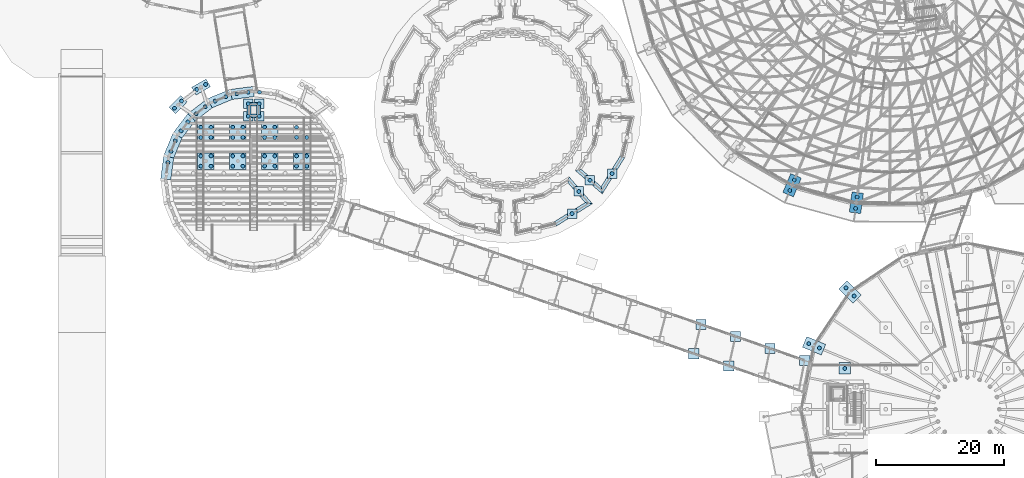
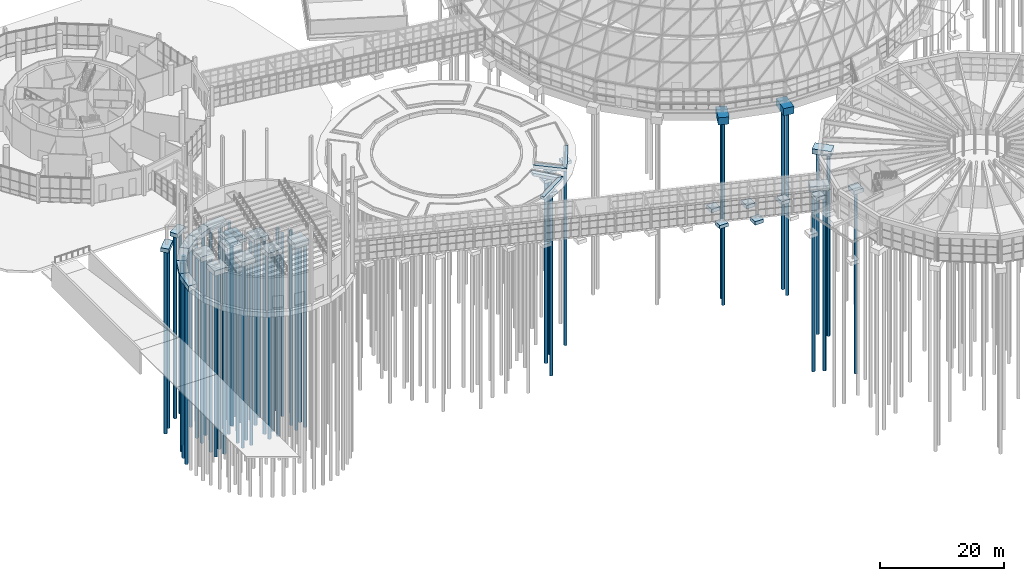
# One storey, part 3 of 226: 64 piles, 42 footings.
"""IFC4 building model written with IfcOpenShell, lengths in metres."""

import ifcopenshell
import ifcopenshell.guid

model = None  # the IFC model being written
_history = None  # IfcOwnerHistory: only IFC2X3 demands one
_inside = {}  # id of a spatial element -> (the spatial element, [elements in it])
_under = {}  # id of a project, library or spatial element -> (it, [spatial elements below it])
_declared = {}  # id of a project -> (the project, [libraries it declares])
_typed = {}  # id of a type object -> (the type object, [elements of that type])
_made_of = {}  # id of a material, layer set ... -> (it, [elements and type objects made of it])


def new_model(schema):
    """Start an empty IFC model of exactly this schema.

    Asked for "IFC4X3", IfcOpenShell would pick the latest addendum, in which some entities
    have other attributes; the version numbers below select the first issue.
    IFC2X3 requires an IfcOwnerHistory on every rooted entity: one is made here for all.
    """
    global model, _history
    if schema == "IFC4X3":
        model = ifcopenshell.file(schema_version=(4, 3, 0, 0))
    else:
        model = ifcopenshell.file(schema=schema)
    _inside.clear()
    _under.clear()
    _declared.clear()
    _typed.clear()
    _made_of.clear()
    _history = None
    if model.schema == "IFC2X3":
        org = make("IfcOrganization", Name="unknown")
        user = make(
            "IfcPersonAndOrganization",
            ThePerson=make("IfcPerson", FamilyName="unknown"),
            TheOrganization=org,
        )
        app = make(
            "IfcApplication",
            ApplicationDeveloper=org,
            Version="unknown",
            ApplicationFullName="unknown",
            ApplicationIdentifier="unknown",
        )
        _history = make(
            "IfcOwnerHistory",
            OwningUser=user,
            OwningApplication=app,
            ChangeAction="ADDED",
            CreationDate=0,
        )
    return model


def make(cls, **values):
    """One entity of the class cls with the attributes given. An attribute that is None is left unset."""
    return model.create_entity(
        cls, **{name: value for name, value in values.items() if value is not None}
    )


def rooted(cls, **values):
    """An entity with a GlobalId (a new one), such as an element, a storey or a relation."""
    return make(cls, GlobalId=ifcopenshell.guid.new(), OwnerHistory=_history, **values)


def si_unit(unit_type, name, prefix=None):
    """IfcSIUnit, for example si_unit("LENGTHUNIT", "METRE", prefix="MILLI")."""
    return make("IfcSIUnit", UnitType=unit_type, Prefix=prefix, Name=name)


def assignment(units):
    """IfcUnitAssignment: the units of a project."""
    return None if units is None else make("IfcUnitAssignment", Units=units)


def point(xyz):
    """IfcCartesianPoint."""
    return None if xyz is None else make("IfcCartesianPoint", Coordinates=xyz)


def direction(xyz):
    """IfcDirection."""
    return None if xyz is None else make("IfcDirection", DirectionRatios=xyz)


def frame(location, z_axis=None, x_axis=None):
    """IfcAxis2Placement3D, a coordinate frame: its origin and axes. An axis left out is left unset."""
    return make(
        "IfcAxis2Placement3D",
        Location=point(location),
        Axis=direction(z_axis),
        RefDirection=direction(x_axis),
    )


def frame_2d(location, x_axis=None):
    """IfcAxis2Placement2D, a coordinate frame in the plane: its origin and x axis."""
    return make(
        "IfcAxis2Placement2D", Location=point(location), RefDirection=direction(x_axis)
    )


def origin():
    """The frame at (0, 0, 0) with its axes left unset."""
    return frame((0.0, 0.0, 0.0))


def origin_2d():
    """The frame at (0, 0) in the plane with its x axis left unset."""
    return frame_2d((0.0, 0.0))


def place(relative_to, where):
    """IfcLocalPlacement: puts the frame where relative to a parent placement (None: the world)."""
    return make(
        "IfcLocalPlacement", PlacementRelTo=relative_to, RelativePlacement=where
    )


def context(
    kind, dimensions, precision=None, world=None, true_north=None, identifier=None
):
    """IfcGeometricRepresentationContext, for example the 3D "Model" context."""
    return make(
        "IfcGeometricRepresentationContext",
        ContextIdentifier=identifier,
        ContextType=kind,
        CoordinateSpaceDimension=dimensions,
        Precision=precision,
        WorldCoordinateSystem=world,
        TrueNorth=true_north,
    )


def subcontext(parent, identifier, kind, view, scale=None):
    """IfcGeometricRepresentationSubContext, for example "Body" below "Model"."""
    return make(
        "IfcGeometricRepresentationSubContext",
        ContextIdentifier=identifier,
        ContextType=kind,
        ParentContext=parent,
        TargetScale=scale,
        TargetView=view,
    )


def project(units=None, contexts=None):
    """IfcProject with its units and contexts."""
    return rooted(
        "IfcProject",
        Name="project",
        RepresentationContexts=contexts,
        UnitsInContext=assignment(units),
    )


def spatial(cls, under=None, at=None, **own):
    """A site, building, storey or space (cls), placed at a placement, below another one or the project."""
    s = rooted(cls, ObjectPlacement=at, **own)
    if under is not None:
        _under.setdefault(under.id(), (under, []))[1].append(s)
    return s


def polyline(points):
    """IfcPolyline through the points."""
    return make("IfcPolyline", Points=[point(p) for p in points])


def profile(cls, at=None, kind="AREA", **sizes):
    """A parametric profile (cls). Its sizes go by their IFC names, for example OverallWidth=200.0."""
    return make(cls, ProfileType=kind, Position=at, **sizes)


def circle(**sizes):
    """IfcCircleProfileDef."""
    return profile("IfcCircleProfileDef", **sizes)


def outline(outer, holes=None, kind="AREA"):
    """IfcArbitraryClosedProfileDef: a profile drawn as a closed curve; with holes, ...WithVoids."""
    if holes is None:
        return make("IfcArbitraryClosedProfileDef", ProfileType=kind, OuterCurve=outer)
    return make(
        "IfcArbitraryProfileDefWithVoids",
        ProfileType=kind,
        OuterCurve=outer,
        InnerCurves=holes,
    )


def extrude(swept, where, along, depth):
    """IfcExtrudedAreaSolid: the profile swept, set in the frame where, extruded along a direction by depth."""
    return make(
        "IfcExtrudedAreaSolid",
        SweptArea=swept,
        Position=where,
        ExtrudedDirection=direction(along),
        Depth=depth,
    )


def shape(context_of_items, identifier, shape_type, items):
    """IfcShapeRepresentation: the items that make up one representation, for example the "Body"."""
    return make(
        "IfcShapeRepresentation",
        ContextOfItems=context_of_items,
        RepresentationIdentifier=identifier,
        RepresentationType=shape_type,
        Items=items,
    )


def material(Name=None, Category=None):
    """IfcMaterial."""
    return make("IfcMaterial", Name=Name, Category=Category)


def layer(
    of_material, thickness, ventilated=None, Name=None, Category=None, Priority=None
):
    """IfcMaterialLayer: one layer of a wall or slab, of a material (None: an air gap)."""
    return make(
        "IfcMaterialLayer",
        Material=of_material,
        LayerThickness=thickness,
        IsVentilated=ventilated,
        Name=Name,
        Category=Category,
        Priority=Priority,
    )


def layer_set(layers, Name=None):
    """IfcMaterialLayerSet."""
    return make("IfcMaterialLayerSet", MaterialLayers=layers, LayerSetName=Name)


def material_profile(
    of_material, cross_section, Name=None, Category=None, Priority=None
):
    """IfcMaterialProfile: a cross section and its material."""
    return make(
        "IfcMaterialProfile",
        Name=Name,
        Material=of_material,
        Profile=cross_section,
        Priority=Priority,
        Category=Category,
    )


def profile_set(profiles, Name=None, composite=None):
    """IfcMaterialProfileSet."""
    return make(
        "IfcMaterialProfileSet",
        Name=Name,
        MaterialProfiles=profiles,
        CompositeProfile=composite,
    )


def made_of(thing, what):
    """Note that an element or type object is made of a material, layer set ...; save() writes the relation."""
    if what is not None:
        _made_of.setdefault(what.id(), (what, []))[1].append(thing)
    return thing


def type_object(cls, material=None, **own):
    """A type object (cls), such as IfcWallType, which elements share."""
    return made_of(rooted(cls, **own), material)


def element(
    cls,
    number,
    at=None,
    inside=None,
    cuts=None,
    type_object=None,
    material=None,
    context=None,
    identifier="Body",
    shape_type=None,
    held_by="IfcProductDefinitionShape",
    body=None,
    shapes=None,
    **own,
):
    """One element of the class cls, such as IfcWall. Its Tag is "e" and its number.

    at: its placement. inside: the storey or other place that contains it. cuts: it is an
    opening in that element (IfcRelVoidsElement). A single representation is given by context,
    identifier, shape_type and body (its items); several are given by shapes. held_by: the class
    of the entity that holds the representations. save() writes the other relations.
    """
    e = rooted(cls, Tag="e%d" % number, ObjectPlacement=at, **own)
    if body is not None:
        shapes = [shape(context, identifier, shape_type, body)]
    if shapes is not None:
        e.Representation = make(held_by, Representations=shapes)
    if inside is not None:
        _inside.setdefault(inside.id(), (inside, []))[1].append(e)
    if cuts is not None:
        rooted(
            "IfcRelVoidsElement", RelatingBuildingElement=cuts, RelatedOpeningElement=e
        )
    if type_object is not None:
        _typed.setdefault(type_object.id(), (type_object, []))[1].append(e)
    return made_of(e, material)


def aggregate(whole, parts):
    """IfcRelAggregates: a whole, such as a stair, and the parts it consists of."""
    return rooted("IfcRelAggregates", RelatingObject=whole, RelatedObjects=parts)


def save(model, path):
    """Write the relations noted so far, then the file.

    IfcRelAggregates (storeys below a building ...), IfcRelContainedInSpatialStructure (elements
    in a storey), IfcRelDefinesByType, IfcRelAssociatesMaterial and IfcRelDeclares: one each for
    every whole, place, type object, material and project.
    """
    for whole, parts in _under.values():
        aggregate(whole, parts)
    for where, things in _inside.values():
        rooted(
            "IfcRelContainedInSpatialStructure",
            RelatedElements=things,
            RelatingStructure=where,
        )
    for kind, things in _typed.values():
        rooted("IfcRelDefinesByType", RelatedObjects=things, RelatingType=kind)
    for what, things in _made_of.values():
        rooted("IfcRelAssociatesMaterial", RelatedObjects=things, RelatingMaterial=what)
    for by, libraries in _declared.values():
        rooted("IfcRelDeclares", RelatingContext=by, RelatedDefinitions=libraries)
    model.write(path)


model = new_model("IFC4")

# Units and contexts
model_context = context("Model", 3, precision=1e-05, world=origin(), true_north=direction((0.0, 1.0)))
body_context = subcontext(model_context, "Body", "Model", "MODEL_VIEW")
ifc_project = project(units=[si_unit("LENGTHUNIT", "METRE"), si_unit("AREAUNIT", "SQUARE_METRE"), si_unit("VOLUMEUNIT", "CUBIC_METRE"), si_unit("PLANEANGLEUNIT", "RADIAN"), si_unit("MASSUNIT", "GRAM", prefix="KILO")], contexts=[model_context])

# Site, building, storey
site_placement = place(None, origin())
site = spatial("IfcSite", under=ifc_project, at=site_placement, CompositionType="ELEMENT")
building_placement = place(site_placement, origin())
building = spatial("IfcBuilding", under=site, at=building_placement, Name="Ceibo Conservatory and Research Tower", CompositionType="ELEMENT")
storey_placement = place(building_placement, origin())
storey = spatial("IfcBuildingStorey", under=building, at=storey_placement, Name="L00", CompositionType="ELEMENT", Elevation=0.0)

# Piles
ifc_material_1 = material(Name="Concrete C35/45", Category="concrete")
ifc_material_profile = material_profile(ifc_material_1, circle(Radius=0.300048828125, at=origin_2d()), Name="RC D600")
ifc_profile_set = profile_set([ifc_material_profile], Name="Concrete C35/45")
pile_type = type_object("IfcPileType", Name="Bored pile D600", PredefinedType="BORED", material=ifc_profile_set)
for number, where, z_axis, x_axis, name in (
    (1, (57.072998046875, 85.6806640625, -1.199951171875), (0.0, 0.0, -1.0), (1.0, 0.0, 0.0), "Pile AUD.STRIP.F06 02"),
    (2, (55.287353515625, 85.6806640625, -1.199951171875), (0.0, 0.0, -1.0), (1.0, 0.0, 0.0), "Pile AUD.STRIP.F07 01"),
    (3, (53.501708984375, 85.445556640625, -1.199951171875), (0.0, 0.0, -1.0), (1.0, 0.0, 0.0), "Pile AUD.STRIP.F07 02"),
    (4, (51.77685546875, 84.9833984375, -1.199951171875), (0.0, 0.0, -1.0), (1.0, 0.0, 0.0), "Pile AUD.STRIP.F08 01"),
    (5, (50.11279296875, 84.294189453125, -1.199951171875), (0.0, 0.0, -1.0), (1.0, 0.0, 0.0), "Pile AUD.STRIP.F08 02"),
    (6, (48.56640625, 83.4013671875, -1.199951171875), (0.0, 0.0, -1.0), (1.0, 0.0, 0.0), "Pile AUD.STRIP.F09 01"),
    (7, (47.1376953125, 82.30517578125, -1.199951171875), (0.0, 0.0, -1.0), (1.0, 0.0, 0.0), "Pile AUD.STRIP.F09 02"),
    (8, (45.875, 81.04248046875, -1.199951171875), (0.0, 0.0, -1.0), (1.0, 0.0, 0.0), "Pile AUD.STRIP.F10 01"),
    (9, (44.778564453125, 79.613525390625, -1.199951171875), (0.0, 0.0, -1.0), (1.0, 0.0, 0.0), "Pile AUD.STRIP.F10 02"),
    (10, (43.8857421875, 78.067138671875, -1.199951171875), (0.0, 0.0, -1.0), (1.0, 0.0, 0.0), "Pile AUD.STRIP.F11 01"),
    (11, (43.196533203125, 76.4033203125, -1.199951171875), (0.0, 0.0, -1.0), (1.0, 0.0, 0.0), "Pile AUD.STRIP.F11 02"),
    (12, (42.734375, 74.678466796875, -1.199951171875), (0.0, 0.0, -1.0), (1.0, 0.0, 0.0), "Pile AUD.STRIP.F12 01"),
    (13, (47.880126953125, 74.10009765625, -1.199951171875), (0.0, 0.0, -1.0), (1.0, 0.0, 0.0), "Pile AUD.CAP.FF11 01"),
    (14, (49.47998046875, 74.10009765625, -1.199951171875), (0.0, 0.0, -1.0), (1.0, 0.0, 0.0), "Pile AUD.CAP.FF11 02"),
    (15, (49.47998046875, 75.699951171875, -1.199951171875), (0.0, 0.0, -1.0), (1.0, 0.0, 0.0), "Pile AUD.CAP.FF11 03"),
    (16, (47.880126953125, 75.699951171875, -1.199951171875), (0.0, 0.0, -1.0), (1.0, 0.0, 0.0), "Pile AUD.CAP.FF11 04"),
    (17, (52.880126953125, 74.10009765625, -1.199951171875), (0.0, 0.0, -1.0), (1.0, 0.0, 0.0), "Pile AUD.CAP.FF12 01"),
    (18, (54.47998046875, 74.10009765625, -1.199951171875), (0.0, 0.0, -1.0), (1.0, 0.0, 0.0), "Pile AUD.CAP.FF12 02"),
    (19, (54.47998046875, 75.699951171875, -1.199951171875), (0.0, 0.0, -1.0), (1.0, 0.0, 0.0), "Pile AUD.CAP.FF12 03"),
    (20, (52.880126953125, 75.699951171875, -1.199951171875), (0.0, 0.0, -1.0), (1.0, 0.0, 0.0), "Pile AUD.CAP.FF12 04"),
    (21, (57.880126953125, 74.10009765625, -1.199951171875), (0.0, 0.0, -1.0), (1.0, 0.0, 0.0), "Pile AUD.CAP.FF13 01"),
    (22, (59.47998046875, 74.10009765625, -1.199951171875), (0.0, 0.0, -1.0), (1.0, 0.0, 0.0), "Pile AUD.CAP.FF13 02"),
    (23, (59.47998046875, 75.699951171875, -1.199951171875), (0.0, 0.0, -1.0), (1.0, 0.0, 0.0), "Pile AUD.CAP.FF13 03"),
    (24, (57.880126953125, 75.699951171875, -1.199951171875), (0.0, 0.0, -1.0), (1.0, 0.0, 0.0), "Pile AUD.CAP.FF13 04"),
    (25, (62.880126953125, 74.10009765625, -1.199951171875), (0.0, 0.0, -1.0), (1.0, 0.0, 0.0), "Pile AUD.CAP.FF14 01"),
    (26, (64.47998046875, 74.10009765625, -1.199951171875), (0.0, 0.0, -1.0), (1.0, 0.0, 0.0), "Pile AUD.CAP.FF14 02"),
    (27, (64.47998046875, 75.699951171875, -1.199951171875), (0.0, 0.0, -1.0), (1.0, 0.0, 0.0), "Pile AUD.CAP.FF14 03"),
    (28, (62.880126953125, 75.699951171875, -1.199951171875), (0.0, 0.0, -1.0), (1.0, 0.0, 0.0), "Pile AUD.CAP.FF14 04"),
    (29, (47.880126953125, 78.60009765625, -1.199951171875), (0.0, 0.0, -1.0), (1.0, 0.0, 0.0), "Pile AUD.CAP.FF21 01"),
    (30, (49.47998046875, 78.60009765625, -1.199951171875), (0.0, 0.0, -1.0), (1.0, 0.0, 0.0), "Pile AUD.CAP.FF21 02"),
    (31, (49.47998046875, 80.199951171875, -1.199951171875), (0.0, 0.0, -1.0), (1.0, 0.0, 0.0), "Pile AUD.CAP.FF21 03"),
    (32, (47.880126953125, 80.199951171875, -1.199951171875), (0.0, 0.0, -1.0), (1.0, 0.0, 0.0), "Pile AUD.CAP.FF21 04"),
    (33, (52.880126953125, 78.60009765625, -1.199951171875), (0.0, 0.0, -1.0), (1.0, 0.0, 0.0), "Pile AUD.CAP.FF22 01"),
    (34, (54.47998046875, 78.60009765625, -1.199951171875), (0.0, 0.0, -1.0), (1.0, 0.0, 0.0), "Pile AUD.CAP.FF22 02"),
    (35, (54.47998046875, 80.199951171875, -1.199951171875), (0.0, 0.0, -1.0), (1.0, 0.0, 0.0), "Pile AUD.CAP.FF22 03"),
    (36, (52.880126953125, 80.199951171875, -1.199951171875), (0.0, 0.0, -1.0), (1.0, 0.0, 0.0), "Pile AUD.CAP.FF22 04"),
    (37, (57.880126953125, 78.60009765625, -1.199951171875), (0.0, 0.0, -1.0), (1.0, 0.0, 0.0), "Pile AUD.CAP.FF23 01"),
    (38, (59.47998046875, 78.60009765625, -1.199951171875), (0.0, 0.0, -1.0), (1.0, 0.0, 0.0), "Pile AUD.CAP.FF23 02"),
    (39, (59.47998046875, 80.199951171875, -1.199951171875), (0.0, 0.0, -1.0), (1.0, 0.0, 0.0), "Pile AUD.CAP.FF23 03"),
    (40, (57.880126953125, 80.199951171875, -1.199951171875), (0.0, 0.0, -1.0), (1.0, 0.0, 0.0), "Pile AUD.CAP.FF23 04"),
    (41, (62.880126953125, 78.60009765625, -1.199951171875), (0.0, 0.0, -1.0), (1.0, 0.0, 0.0), "Pile AUD.CAP.FF24 01"),
    (42, (64.47998046875, 78.60009765625, -1.199951171875), (0.0, 0.0, -1.0), (1.0, 0.0, 0.0), "Pile AUD.CAP.FF24 02"),
    (43, (62.880126953125, 80.199951171875, -1.199951171875), (0.0, 0.0, -1.0), (1.0, 0.0, 0.0), "Pile AUD.CAP.FF24 04"),
    (44, (140.879638671875, 71.94189453125, -1.300048828125), (0.0, 0.0, -1.0), (1.0, 0.0, 0.0), "Pile DA.CAP.L00.17 01"),
    (45, (140.18359375, 70.281982421875, -1.300048828125), (0.0, 0.0, -1.0), (1.0, 0.0, 0.0), "Pile DA.CAP.L00.17 02"),
    (46, (150.727294921875, 69.257080078125, -1.300048828125), (0.0, 0.0, -1.0), (1.0, 0.0, 0.0), "Pile DA.CAP.L00.18 01"),
    (47, (150.484619140625, 67.4736328125, -1.300048828125), (0.0, 0.0, -1.0), (1.0, 0.0, 0.0), "Pile DA.CAP.L00.18 02"),
    (48, (48.619140625, 86.896484375, -0.699951171875), (0.0, 0.0, -1.0), (1.0, 0.0, 0.0), "Pile AUD.CNP.F09.CAP1 01"),
    (49, (47.228759765625, 86.104736328125, -0.699951171875), (0.0, 0.0, -1.0), (1.0, 0.0, 0.0), "Pile AUD.CNP.F09.CAP1 02"),
    (50, (44.87255859375, 84.297119140625, -0.699951171875), (0.0, 0.0, -1.0), (1.0, 0.0, 0.0), "Pile AUD.CNP.F09.CAP2 01"),
    (51, (43.748046875, 83.158935546875, -0.699951171875), (0.0, 0.0, -1.0), (1.0, 0.0, 0.0), "Pile AUD.CNP.F09.CAP2 02"),
    (52, (150.251708984375, 53.748291015625, -0.89990234375), (0.0, 0.0, -1.0), (1.0, 0.0, 0.0), "Pile VC.CAP.L00.07 01"),
    (53, (148.978759765625, 55.021240234375, -0.89990234375), (0.0, 0.0, -1.0), (1.0, 0.0, 0.0), "Pile VC.CAP.L00.07 02"),
    (54, (144.810546875, 45.60546875, -0.89990234375), (0.0, 0.0, -1.0), (1.0, 0.0, 0.0), "Pile VC.CAP.L00.08 01"),
    (55, (143.147705078125, 46.294189453125, -0.89990234375), (0.0, 0.0, -1.0), (1.0, 0.0, 0.0), "Pile VC.CAP.L00.08 02"),
    (56, (148.800048828125, 42.39990234375, -0.949951171875), (0.0, 0.0, -1.0), (1.0, 0.0, 0.0), "Pile VC.CAP.FLOOR.19 01"),
    (57, (106.065673828125, 66.671630859375, -1.10009765625), (0.0, 0.0, -1.0), (1.0, 0.0, 0.0), "Pile CARRY.SITE.STRIP.COURT.PB7.KERB.F03 01"),
    (58, (107.105224609375, 70.140380859375, -1.10009765625), (0.0, 0.0, -1.0), (1.0, 0.0, 0.0), "Pile CARRY.SITE.STRIP.COURT.PB7.KERB.F04 01"),
    (59, (108.859619140625, 71.894775390625, -1.10009765625), (0.0, 0.0, -1.0), (1.0, 0.0, 0.0), "Pile CARRY.SITE.STRIP.COURT.PB8.KERB.F01 01"),
    (60, (112.328369140625, 72.934326171875, -1.10009765625), (0.0, 0.0, -1.0), (1.0, 0.0, 0.0), "Pile CARRY.SITE.STRIP.COURT.PB8.KERB.F02 01"),
    (61, (55.32763671875, 81.92578125, -2.449951171875), (0.0, 0.0, -1.0), (1.0, 0.0, 0.0), "Pile CARRY.AUD.LFT.L00.C1 01"),
    (62, (55.32763671875, 83.874267578125, -2.449951171875), (0.0, 0.0, -1.0), (1.0, 0.0, 0.0), "Pile CARRY.AUD.LFT.L00.C2 01"),
    (63, (57.032470703125, 83.874267578125, -2.449951171875), (0.0, 0.0, -1.0), (1.0, 0.0, 0.0), "Pile CARRY.AUD.LFT.L00.C3 01"),
    (64, (57.032470703125, 81.92578125, -2.449951171875), (0.0, 0.0, -1.0), (1.0, 0.0, 0.0), "Pile CARRY.AUD.LFT.L00.C4 01"),
):
    element("IfcPile", number, at=place(storey_placement, frame(where, z_axis=z_axis, x_axis=x_axis)), inside=storey, type_object=pile_type, Name=name, PredefinedType="BORED", context=body_context, shape_type="SweptSolid", body=[
        extrude(circle(Radius=0.300048828125, at=origin_2d()), origin(), (0.0, 0.0, 1.0), 36.0),
    ])

# Footings
ifc_material_2 = material(Name="Concrete C40/50", Category="concrete")
ifc_layer_1 = layer(ifc_material_2, 0.5)
ifc_layer_set_1 = layer_set([ifc_layer_1], Name="Concrete C40/50")
footing_type_1 = type_object("IfcFootingType", Name="Lift pit strip footing 500", PredefinedType="STRIP_FOOTING", material=ifc_layer_set_1)
footing_1_placement = place(storey_placement, frame((0.0, 0.0, -1.949951171875)))
element("IfcFooting", 65, at=footing_1_placement, inside=storey, type_object=footing_type_1, Name="Lift pit footing 1", PredefinedType="STRIP_FOOTING", context=body_context, shape_type="SweptSolid", body=[
    extrude(outline(polyline([(55.130126953125, 81.699951171875), (55.72998046875, 81.699951171875), (55.72998046875, 84.10009765625), (55.130126953125, 84.10009765625), (55.130126953125, 81.699951171875)])), origin(), (0.0, 0.0, 1.0), 0.5),
])
footing_2_placement = place(storey_placement, frame((0.0, 0.0, -1.949951171875)))
element("IfcFooting", 66, at=footing_2_placement, inside=storey, type_object=footing_type_1, Name="Lift pit footing 2", PredefinedType="STRIP_FOOTING", context=body_context, shape_type="SweptSolid", body=[
    extrude(outline(polyline([(56.630126953125, 81.699951171875), (57.22998046875, 81.699951171875), (57.22998046875, 84.10009765625), (56.630126953125, 84.10009765625), (56.630126953125, 81.699951171875)])), origin(), (0.0, 0.0, 1.0), 0.5),
])
footing_3_placement = place(storey_placement, frame((0.0, 0.0, -1.949951171875)))
element("IfcFooting", 67, at=footing_3_placement, inside=storey, type_object=footing_type_1, Name="Lift pit footing 3", PredefinedType="STRIP_FOOTING", context=body_context, shape_type="SweptSolid", body=[
    extrude(outline(polyline([(55.72998046875, 81.699951171875), (56.630126953125, 81.699951171875), (56.630126953125, 82.300048828125), (55.72998046875, 82.300048828125), (55.72998046875, 81.699951171875)])), origin(), (0.0, 0.0, 1.0), 0.5),
])
footing_4_placement = place(storey_placement, frame((0.0, 0.0, -1.949951171875)))
element("IfcFooting", 68, at=footing_4_placement, inside=storey, type_object=footing_type_1, Name="Lift pit footing 4", PredefinedType="STRIP_FOOTING", context=body_context, shape_type="SweptSolid", body=[
    extrude(outline(polyline([(55.72998046875, 83.5), (56.630126953125, 83.5), (56.630126953125, 84.10009765625), (55.72998046875, 84.10009765625), (55.72998046875, 83.5)])), origin(), (0.0, 0.0, 1.0), 0.5),
])
ifc_layer_2 = layer(ifc_material_2, 0.699951171875)
ifc_layer_set_2 = layer_set([ifc_layer_2], Name="Concrete C40/50")
footing_type_2 = type_object("IfcFootingType", Name="Pad footing 1600x1600x700", PredefinedType="PAD_FOOTING", material=ifc_layer_set_2)
footing_5_placement = place(storey_placement, frame((0.0, 0.0, -0.949951171875)))
element("IfcFooting", 69, at=footing_5_placement, inside=storey, type_object=footing_type_2, Name="Pad footing GAL.CAP.L00.AUD-VC.N11", PredefinedType="PAD_FOOTING", context=body_context, shape_type="SweptSolid", body=[
    extrude(outline(polyline([(125.446044921875, 48.48193359375), (127.046142578125, 48.48193359375), (127.046142578125, 50.081787109375), (125.446044921875, 50.081787109375), (125.446044921875, 48.48193359375)])), origin(), (0.0, 0.0, 1.0), 0.699951171875),
])
footing_6_placement = place(storey_placement, frame((0.0, 0.0, -0.949951171875)))
element("IfcFooting", 70, at=footing_6_placement, inside=storey, type_object=footing_type_2, Name="Pad footing GAL.CAP.L00.AUD-VC.S11", PredefinedType="PAD_FOOTING", context=body_context, shape_type="SweptSolid", body=[
    extrude(outline(polyline([(124.317138671875, 43.8984375), (125.917236328125, 43.8984375), (125.917236328125, 45.49853515625), (124.317138671875, 45.49853515625), (124.317138671875, 43.8984375)])), origin(), (0.0, 0.0, 1.0), 0.699951171875),
])
footing_7_placement = place(storey_placement, frame((0.0, 0.0, -0.949951171875)))
element("IfcFooting", 71, at=footing_7_placement, inside=storey, type_object=footing_type_2, Name="Pad footing GAL.CAP.L00.AUD-VC.N12", PredefinedType="PAD_FOOTING", context=body_context, shape_type="SweptSolid", body=[
    extrude(outline(polyline([(130.86669921875, 46.597900390625), (132.466552734375, 46.597900390625), (132.466552734375, 48.197998046875), (130.86669921875, 48.197998046875), (130.86669921875, 46.597900390625)])), origin(), (0.0, 0.0, 1.0), 0.699951171875),
])
footing_8_placement = place(storey_placement, frame((0.0, 0.0, -0.949951171875)))
element("IfcFooting", 72, at=footing_8_placement, inside=storey, type_object=footing_type_2, Name="Pad footing GAL.CAP.L00.AUD-VC.S12", PredefinedType="PAD_FOOTING", context=body_context, shape_type="SweptSolid", body=[
    extrude(outline(polyline([(129.805419921875, 41.990966796875), (131.405517578125, 41.990966796875), (131.405517578125, 43.591064453125), (129.805419921875, 43.591064453125), (129.805419921875, 41.990966796875)])), origin(), (0.0, 0.0, 1.0), 0.699951171875),
])
footing_9_placement = place(storey_placement, frame((0.0, 0.0, -0.949951171875)))
element("IfcFooting", 73, at=footing_9_placement, inside=storey, type_object=footing_type_2, Name="Pad footing GAL.CAP.L00.AUD-VC.N13", PredefinedType="PAD_FOOTING", context=body_context, shape_type="SweptSolid", body=[
    extrude(outline(polyline([(136.287353515625, 44.714111328125), (137.88720703125, 44.714111328125), (137.88720703125, 46.31396484375), (136.287353515625, 46.31396484375), (136.287353515625, 44.714111328125)])), origin(), (0.0, 0.0, 1.0), 0.699951171875),
])
footing_10_placement = place(storey_placement, frame((0.0, 0.0, -0.949951171875)))
element("IfcFooting", 74, at=footing_10_placement, inside=storey, type_object=footing_type_2, Name="Pad footing GAL.CAP.L00.AUD-VC.N14", PredefinedType="PAD_FOOTING", context=body_context, shape_type="SweptSolid", body=[
    extrude(outline(polyline([(141.707763671875, 42.830078125), (143.307861328125, 42.830078125), (143.307861328125, 44.43017578125), (141.707763671875, 44.43017578125), (141.707763671875, 42.830078125)])), origin(), (0.0, 0.0, 1.0), 0.699951171875),
])
ifc_layer_3 = layer(ifc_material_2, 0.60009765625)
ifc_layer_set_3 = layer_set([ifc_layer_3], Name="Concrete C40/50")
footing_type_3 = type_object("IfcFootingType", Name="Pile cap 1500x1500x600", PredefinedType="PILE_CAP", material=ifc_layer_set_3)
footing_11_placement = place(storey_placement, frame((0.0, 0.0, -1.199951171875)))
element("IfcFooting", 75, at=footing_11_placement, inside=storey, type_object=footing_type_3, Name="Pile cap CARRY.SITE.STRIP.COURT.PB7.KERB.F03", PredefinedType="PILE_CAP", context=body_context, shape_type="SweptSolid", body=[
    extrude(outline(polyline([(106.815673828125, 65.921630859375), (106.815673828125, 67.421630859375), (105.315673828125, 67.421630859375), (105.315673828125, 65.921630859375), (106.815673828125, 65.921630859375)])), origin(), (0.0, 0.0, 1.0), 0.599853515625),
])
footing_12_placement = place(storey_placement, frame((0.0, 0.0, -1.199951171875)))
element("IfcFooting", 76, at=footing_12_placement, inside=storey, type_object=footing_type_3, Name="Pile cap CARRY.SITE.STRIP.COURT.PB7.KERB.F04", PredefinedType="PILE_CAP", context=body_context, shape_type="SweptSolid", body=[
    extrude(outline(polyline([(107.855224609375, 69.390380859375), (107.855224609375, 70.890380859375), (106.355224609375, 70.890380859375), (106.355224609375, 69.390380859375), (107.855224609375, 69.390380859375)])), origin(), (0.0, 0.0, 1.0), 0.599853515625),
])
footing_13_placement = place(storey_placement, frame((0.0, 0.0, -1.199951171875)))
element("IfcFooting", 77, at=footing_13_placement, inside=storey, type_object=footing_type_3, Name="Pile cap CARRY.SITE.STRIP.COURT.PB8.KERB.F01", PredefinedType="PILE_CAP", context=body_context, shape_type="SweptSolid", body=[
    extrude(outline(polyline([(109.609619140625, 71.144775390625), (109.609619140625, 72.644775390625), (108.109619140625, 72.644775390625), (108.109619140625, 71.144775390625), (109.609619140625, 71.144775390625)])), origin(), (0.0, 0.0, 1.0), 0.599853515625),
])
footing_14_placement = place(storey_placement, frame((0.0, 0.0, -1.199951171875)))
element("IfcFooting", 78, at=footing_14_placement, inside=storey, type_object=footing_type_3, Name="Pile cap CARRY.SITE.STRIP.COURT.PB8.KERB.F02", PredefinedType="PILE_CAP", context=body_context, shape_type="SweptSolid", body=[
    extrude(outline(polyline([(113.078369140625, 72.184326171875), (113.078369140625, 73.684326171875), (111.578369140625, 73.684326171875), (111.578369140625, 72.184326171875), (113.078369140625, 72.184326171875)])), origin(), (0.0, 0.0, 1.0), 0.599853515625),
])
footing_15_placement = place(storey_placement, frame((0.0, 0.0, -2.550048828125)))
element("IfcFooting", 79, at=footing_15_placement, inside=storey, type_object=footing_type_3, Name="Pile cap CARRY.AUD.LFT.L00.C1", PredefinedType="PILE_CAP", context=body_context, shape_type="SweptSolid", body=[
    extrude(outline(polyline([(56.07763671875, 81.17578125), (56.07763671875, 82.67578125), (54.57763671875, 82.67578125), (54.57763671875, 81.17578125), (56.07763671875, 81.17578125)])), origin(), (0.0, 0.0, 1.0), 0.60009765625),
])
footing_16_placement = place(storey_placement, frame((0.0, 0.0, -2.550048828125)))
element("IfcFooting", 80, at=footing_16_placement, inside=storey, type_object=footing_type_3, Name="Pile cap CARRY.AUD.LFT.L00.C2", PredefinedType="PILE_CAP", context=body_context, shape_type="SweptSolid", body=[
    extrude(outline(polyline([(56.07763671875, 83.124267578125), (56.07763671875, 84.624267578125), (54.57763671875, 84.624267578125), (54.57763671875, 83.124267578125), (56.07763671875, 83.124267578125)])), origin(), (0.0, 0.0, 1.0), 0.60009765625),
])
footing_17_placement = place(storey_placement, frame((0.0, 0.0, -2.550048828125)))
element("IfcFooting", 81, at=footing_17_placement, inside=storey, type_object=footing_type_3, Name="Pile cap CARRY.AUD.LFT.L00.C3", PredefinedType="PILE_CAP", context=body_context, shape_type="SweptSolid", body=[
    extrude(outline(polyline([(57.782470703125, 83.124267578125), (57.782470703125, 84.624267578125), (56.282470703125, 84.624267578125), (56.282470703125, 83.124267578125), (57.782470703125, 83.124267578125)])), origin(), (0.0, 0.0, 1.0), 0.60009765625),
])
footing_18_placement = place(storey_placement, frame((0.0, 0.0, -2.550048828125)))
element("IfcFooting", 82, at=footing_18_placement, inside=storey, type_object=footing_type_3, Name="Pile cap CARRY.AUD.LFT.L00.C4", PredefinedType="PILE_CAP", context=body_context, shape_type="SweptSolid", body=[
    extrude(outline(polyline([(57.782470703125, 81.17578125), (57.782470703125, 82.67578125), (56.282470703125, 82.67578125), (56.282470703125, 81.17578125), (57.782470703125, 81.17578125)])), origin(), (0.0, 0.0, 1.0), 0.60009765625),
])
ifc_layer_4 = layer(ifc_material_2, 0.800048828125)
ifc_layer_set_4 = layer_set([ifc_layer_4], Name="Concrete C40/50")
footing_type_4 = type_object("IfcFootingType", Name="Pile cap 1800x1800x800", PredefinedType="PILE_CAP", material=ifc_layer_set_4)
footing_19_placement = place(storey_placement, frame((0.0, 0.0, -1.050048828125)))
element("IfcFooting", 83, at=footing_19_placement, inside=storey, type_object=footing_type_4, Name="Pile cap VC.CAP.FLOOR.19", PredefinedType="PILE_CAP", context=body_context, shape_type="SweptSolid", body=[
    extrude(outline(polyline([(147.89990234375, 41.5), (149.699951171875, 41.5), (149.699951171875, 43.300048828125), (147.89990234375, 43.300048828125), (147.89990234375, 41.5)])), origin(), (0.0, 0.0, 1.0), 0.800048828125),
])
ifc_layer_5 = layer(ifc_material_2, 0.800048828125)
ifc_layer_set_5 = layer_set([ifc_layer_5], Name="Concrete C40/50")
footing_type_5 = type_object("IfcFootingType", Name="Pile cap 2600x1400x800", PredefinedType="PILE_CAP", material=ifc_layer_set_5)
for number, where, z_axis, x_axis, name in (
    (84, (48.707275390625, 87.752197265625, -0.800048828125), (0.0, 0.0, 1.0), (-0.869013878626, -0.494787710796, 0.0), "Pile cap AUD.CNP.F09.CAP1"),
    (85, (44.72607421875, 85.144775390625, -0.800048828125), (0.0, 0.0, 1.0), (-0.702845555622, -0.711342480766, 0.0), "Pile cap AUD.CNP.F09.CAP2"),
):
    element("IfcFooting", number, at=place(storey_placement, frame(where, z_axis=z_axis, x_axis=x_axis)), inside=storey, type_object=footing_type_5, Name=name, PredefinedType="PILE_CAP", context=body_context, shape_type="SweptSolid", body=[
        extrude(outline(polyline([(0.0, 0.0), (2.60009765625, 0.0), (2.60009765625, 1.39990234375), (0.0, 1.39990234375), (0.0, 0.0)])), origin(), (0.0, 0.0, 1.0), 0.800048828125),
    ])
ifc_layer_6 = layer(ifc_material_2, 1.0)
ifc_layer_set_6 = layer_set([ifc_layer_6], Name="Concrete C40/50")
footing_type_6 = type_object("IfcFootingType", Name="Pile cap 2600x2600x1000", PredefinedType="PILE_CAP", material=ifc_layer_set_6)
footing_20_placement = place(storey_placement, frame((0.0, 0.0, -1.300048828125)))
element("IfcFooting", 86, at=footing_20_placement, inside=storey, type_object=footing_type_6, Name="Pile cap AUD.CAP.FF11", PredefinedType="PILE_CAP", context=body_context, shape_type="SweptSolid", body=[
    extrude(outline(polyline([(47.380126953125, 73.60009765625), (49.97998046875, 73.60009765625), (49.97998046875, 76.199951171875), (47.380126953125, 76.199951171875), (47.380126953125, 73.60009765625)])), origin(), (0.0, 0.0, 1.0), 1.0),
])
footing_21_placement = place(storey_placement, frame((0.0, 0.0, -1.300048828125)))
element("IfcFooting", 87, at=footing_21_placement, inside=storey, type_object=footing_type_6, Name="Pile cap AUD.CAP.FF12", PredefinedType="PILE_CAP", context=body_context, shape_type="SweptSolid", body=[
    extrude(outline(polyline([(52.380126953125, 73.60009765625), (54.97998046875, 73.60009765625), (54.97998046875, 76.199951171875), (52.380126953125, 76.199951171875), (52.380126953125, 73.60009765625)])), origin(), (0.0, 0.0, 1.0), 1.0),
])
footing_22_placement = place(storey_placement, frame((0.0, 0.0, -1.300048828125)))
element("IfcFooting", 88, at=footing_22_placement, inside=storey, type_object=footing_type_6, Name="Pile cap AUD.CAP.FF13", PredefinedType="PILE_CAP", context=body_context, shape_type="SweptSolid", body=[
    extrude(outline(polyline([(57.380126953125, 73.60009765625), (59.97998046875, 73.60009765625), (59.97998046875, 76.199951171875), (57.380126953125, 76.199951171875), (57.380126953125, 73.60009765625)])), origin(), (0.0, 0.0, 1.0), 1.0),
])
footing_23_placement = place(storey_placement, frame((0.0, 0.0, -1.300048828125)))
element("IfcFooting", 89, at=footing_23_placement, inside=storey, type_object=footing_type_6, Name="Pile cap AUD.CAP.FF14", PredefinedType="PILE_CAP", context=body_context, shape_type="SweptSolid", body=[
    extrude(outline(polyline([(62.380126953125, 73.60009765625), (64.97998046875, 73.60009765625), (64.97998046875, 76.199951171875), (62.380126953125, 76.199951171875), (62.380126953125, 73.60009765625)])), origin(), (0.0, 0.0, 1.0), 1.0),
])
footing_24_placement = place(storey_placement, frame((0.0, 0.0, -1.300048828125)))
element("IfcFooting", 90, at=footing_24_placement, inside=storey, type_object=footing_type_6, Name="Pile cap AUD.CAP.FF21", PredefinedType="PILE_CAP", context=body_context, shape_type="SweptSolid", body=[
    extrude(outline(polyline([(47.380126953125, 78.10009765625), (49.97998046875, 78.10009765625), (49.97998046875, 80.699951171875), (47.380126953125, 80.699951171875), (47.380126953125, 78.10009765625)])), origin(), (0.0, 0.0, 1.0), 1.0),
])
footing_25_placement = place(storey_placement, frame((0.0, 0.0, -1.300048828125)))
element("IfcFooting", 91, at=footing_25_placement, inside=storey, type_object=footing_type_6, Name="Pile cap AUD.CAP.FF22", PredefinedType="PILE_CAP", context=body_context, shape_type="SweptSolid", body=[
    extrude(outline(polyline([(52.380126953125, 78.10009765625), (54.97998046875, 78.10009765625), (54.97998046875, 80.699951171875), (52.380126953125, 80.699951171875), (52.380126953125, 78.10009765625)])), origin(), (0.0, 0.0, 1.0), 1.0),
])
footing_26_placement = place(storey_placement, frame((0.0, 0.0, -1.300048828125)))
element("IfcFooting", 92, at=footing_26_placement, inside=storey, type_object=footing_type_6, Name="Pile cap AUD.CAP.FF23", PredefinedType="PILE_CAP", context=body_context, shape_type="SweptSolid", body=[
    extrude(outline(polyline([(57.380126953125, 78.10009765625), (59.97998046875, 78.10009765625), (59.97998046875, 80.699951171875), (57.380126953125, 80.699951171875), (57.380126953125, 78.10009765625)])), origin(), (0.0, 0.0, 1.0), 1.0),
])
ifc_layer_7 = layer(ifc_material_2, 1.0)
ifc_layer_set_7 = layer_set([ifc_layer_7], Name="Concrete C40/50")
footing_type_7 = type_object("IfcFootingType", Name="Pile cap 3200x1800x1000", PredefinedType="PILE_CAP", material=ifc_layer_set_7)
for number, where, z_axis, x_axis, name in (
    (93, (151.383056640625, 53.889892578125, -1.0), (0.0, 0.0, 1.0), (-0.707106781187, 0.707106781187, 0.0), "Pile cap VC.CAP.L00.07"),
    (94, (145.8017578125, 46.1689453125, -1.0), (0.0, 0.0, 1.0), (-0.923879507629, 0.382683492437, 0.0), "Pile cap VC.CAP.L00.08"),
):
    element("IfcFooting", number, at=place(storey_placement, frame(where, z_axis=z_axis, x_axis=x_axis)), inside=storey, type_object=footing_type_7, Name=name, PredefinedType="PILE_CAP", context=body_context, shape_type="SweptSolid", body=[
        extrude(outline(polyline([(0.0, 0.0), (3.199951171875, 0.0), (3.199951171875, 1.800048828125), (0.0, 1.800048828125), (0.0, 0.0)])), origin(), (0.0, 0.0, 1.0), 1.0),
    ])
ifc_layer_8 = layer(ifc_material_2, 1.39990234375)
ifc_layer_set_8 = layer_set([ifc_layer_8], Name="Concrete C40/50")
footing_type_8 = type_object("IfcFootingType", Name="Pile cap 3200x1800x1400", PredefinedType="PILE_CAP", material=ifc_layer_set_8)
for number, where, z_axis, x_axis, name in (
    (95, (140.3203125, 72.935546875, -1.39990234375), (0.0, 0.0, 1.0), (-0.386710953296, -0.922200975168, 0.0), "Pile cap DA.CAP.L00.17"),
    (96, (149.929931640625, 70.072021484375, -1.39990234375), (0.0, 0.0, 1.0), (-0.134850932009, -0.990865897151, 0.0), "Pile cap DA.CAP.L00.18"),
):
    element("IfcFooting", number, at=place(storey_placement, frame(where, z_axis=z_axis, x_axis=x_axis)), inside=storey, type_object=footing_type_8, Name=name, PredefinedType="PILE_CAP", context=body_context, shape_type="SweptSolid", body=[
        extrude(outline(polyline([(0.0, 0.0), (3.199951171875, 0.0), (3.199951171875, 1.800048828125), (0.0, 1.800048828125), (0.0, 0.0)])), origin(), (0.0, 0.0, 1.0), 1.39990234375),
    ])
ifc_layer_9 = layer(ifc_material_2, 1.0)
ifc_layer_set_9 = layer_set([ifc_layer_9], Name="Concrete C40/50")
footing_type_9 = type_object("IfcFootingType", Name="Strip cap 1600x1000", PredefinedType="STRIP_FOOTING", material=ifc_layer_set_9)
footing_27_placement = place(storey_placement, frame((0.0, 0.0, -1.300048828125)))
element("IfcFooting", 97, at=footing_27_placement, inside=storey, type_object=footing_type_9, Name="Strip cap AUD.STRIP.F07", PredefinedType="STRIP_FOOTING", context=body_context, shape_type="SweptSolid", body=[
    extrude(outline(polyline([(56.18017578125, 86.605224609375), (52.39990234375, 86.107421875), (52.817626953125, 84.548583984375), (56.18017578125, 84.991455078125), (56.18017578125, 86.605224609375)])), origin(), (0.0, 0.0, 1.0), 1.0),
])
footing_28_placement = place(storey_placement, frame((0.0, 0.0, -1.300048828125)))
element("IfcFooting", 98, at=footing_28_placement, inside=storey, type_object=footing_type_9, Name="Strip cap AUD.STRIP.F08", PredefinedType="STRIP_FOOTING", context=body_context, shape_type="SweptSolid", body=[
    extrude(outline(polyline([(52.39990234375, 86.107421875), (48.87744140625, 84.6484375), (49.684326171875, 83.2509765625), (52.817626953125, 84.548583984375), (52.39990234375, 86.107421875)])), origin(), (0.0, 0.0, 1.0), 1.0),
])
footing_29_placement = place(storey_placement, frame((0.0, 0.0, -1.300048828125)))
element("IfcFooting", 99, at=footing_29_placement, inside=storey, type_object=footing_type_9, Name="Strip cap AUD.STRIP.F09", PredefinedType="STRIP_FOOTING", context=body_context, shape_type="SweptSolid", body=[
    extrude(outline(polyline([(48.87744140625, 84.6484375), (45.852783203125, 82.327392578125), (46.993896484375, 81.186279296875), (49.684326171875, 83.2509765625), (48.87744140625, 84.6484375)])), origin(), (0.0, 0.0, 1.0), 1.0),
])
footing_30_placement = place(storey_placement, frame((0.0, 0.0, -1.300048828125)))
element("IfcFooting", 100, at=footing_30_placement, inside=storey, type_object=footing_type_9, Name="Strip cap AUD.STRIP.F10", PredefinedType="STRIP_FOOTING", context=body_context, shape_type="SweptSolid", body=[
    extrude(outline(polyline([(45.852783203125, 82.327392578125), (43.53173828125, 79.302490234375), (44.92919921875, 78.49560546875), (46.993896484375, 81.186279296875), (45.852783203125, 82.327392578125)])), origin(), (0.0, 0.0, 1.0), 1.0),
])
footing_31_placement = place(storey_placement, frame((0.0, 0.0, -1.300048828125)))
element("IfcFooting", 101, at=footing_31_placement, inside=storey, type_object=footing_type_9, Name="Strip cap AUD.STRIP.F11", PredefinedType="STRIP_FOOTING", context=body_context, shape_type="SweptSolid", body=[
    extrude(outline(polyline([(43.53173828125, 79.302490234375), (42.072509765625, 75.780029296875), (43.63134765625, 75.3623046875), (44.92919921875, 78.49560546875), (43.53173828125, 79.302490234375)])), origin(), (0.0, 0.0, 1.0), 1.0),
])
footing_32_placement = place(storey_placement, frame((0.0, 0.0, -1.300048828125)))
element("IfcFooting", 102, at=footing_32_placement, inside=storey, type_object=footing_type_9, Name="Strip cap AUD.STRIP.F12", PredefinedType="STRIP_FOOTING", context=body_context, shape_type="SweptSolid", body=[
    extrude(outline(polyline([(42.072509765625, 75.780029296875), (41.574951171875, 72.0), (43.188720703125, 72.0), (43.63134765625, 75.3623046875), (42.072509765625, 75.780029296875)])), origin(), (0.0, 0.0, 1.0), 1.0),
])
ifc_layer_10 = layer(ifc_material_2, 0.60009765625)
ifc_layer_set_10 = layer_set([ifc_layer_10], Name="Concrete C40/50")
footing_type_10 = type_object("IfcFootingType", Name="Strip footing 750x600", PredefinedType="STRIP_FOOTING", material=ifc_layer_set_10)
footing_33_placement = place(storey_placement, frame((0.0, 0.0, -0.60009765625)))
element("IfcFooting", 103, at=footing_33_placement, inside=storey, type_object=footing_type_10, Name="Strip footing SITE.STRIP.COURT.PB7.KERB.F03", PredefinedType="STRIP_FOOTING", context=body_context, shape_type="SweptSolid", body=[
    extrude(outline(polyline([(103.57861328125, 64.70361328125), (109.2509765625, 68.213623046875), (108.1064453125, 68.387451171875), (103.287841796875, 65.405517578125), (103.57861328125, 64.70361328125)])), origin(), (0.0, 0.0, 1.0), 0.60009765625),
])
footing_34_placement = place(storey_placement, frame((0.0, 0.0, -0.60009765625)))
element("IfcFooting", 104, at=footing_34_placement, inside=storey, type_object=footing_type_10, Name="Strip footing SITE.STRIP.COURT.PB7.KERB.F04", PredefinedType="STRIP_FOOTING", context=body_context, shape_type="SweptSolid", body=[
    extrude(outline(polyline([(109.2509765625, 68.213623046875), (105.572021484375, 72.446044921875), (105.42431640625, 71.47265625), (108.1064453125, 68.387451171875), (109.2509765625, 68.213623046875)])), origin(), (0.0, 0.0, 1.0), 0.60009765625),
])
footing_35_placement = place(storey_placement, frame((0.0, 0.0, -0.60009765625)))
element("IfcFooting", 105, at=footing_35_placement, inside=storey, type_object=footing_type_10, Name="Strip footing SITE.STRIP.COURT.PB8.KERB.F01", PredefinedType="STRIP_FOOTING", context=body_context, shape_type="SweptSolid", body=[
    extrude(outline(polyline([(106.553955078125, 73.427978515625), (110.786376953125, 69.7490234375), (110.612548828125, 70.8935546875), (107.52734375, 73.57568359375), (106.553955078125, 73.427978515625)])), origin(), (0.0, 0.0, 1.0), 0.60009765625),
])
footing_36_placement = place(storey_placement, frame((0.0, 0.0, -0.60009765625)))
element("IfcFooting", 106, at=footing_36_placement, inside=storey, type_object=footing_type_10, Name="Strip footing SITE.STRIP.COURT.PB8.KERB.F02", PredefinedType="STRIP_FOOTING", context=body_context, shape_type="SweptSolid", body=[
    extrude(outline(polyline([(110.786376953125, 69.7490234375), (114.29638671875, 75.42138671875), (113.594482421875, 75.712158203125), (110.612548828125, 70.8935546875), (110.786376953125, 69.7490234375)])), origin(), (0.0, 0.0, 1.0), 0.60009765625),
])

save(model, "model.ifc")
